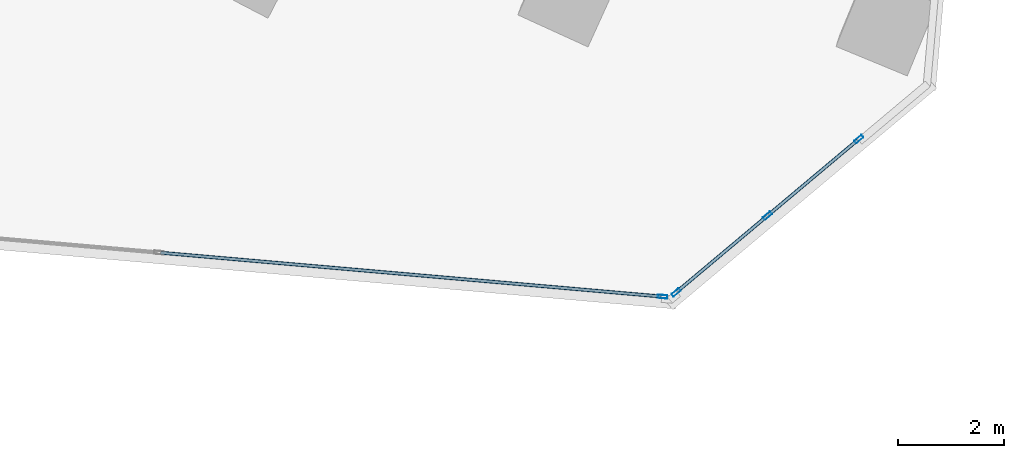
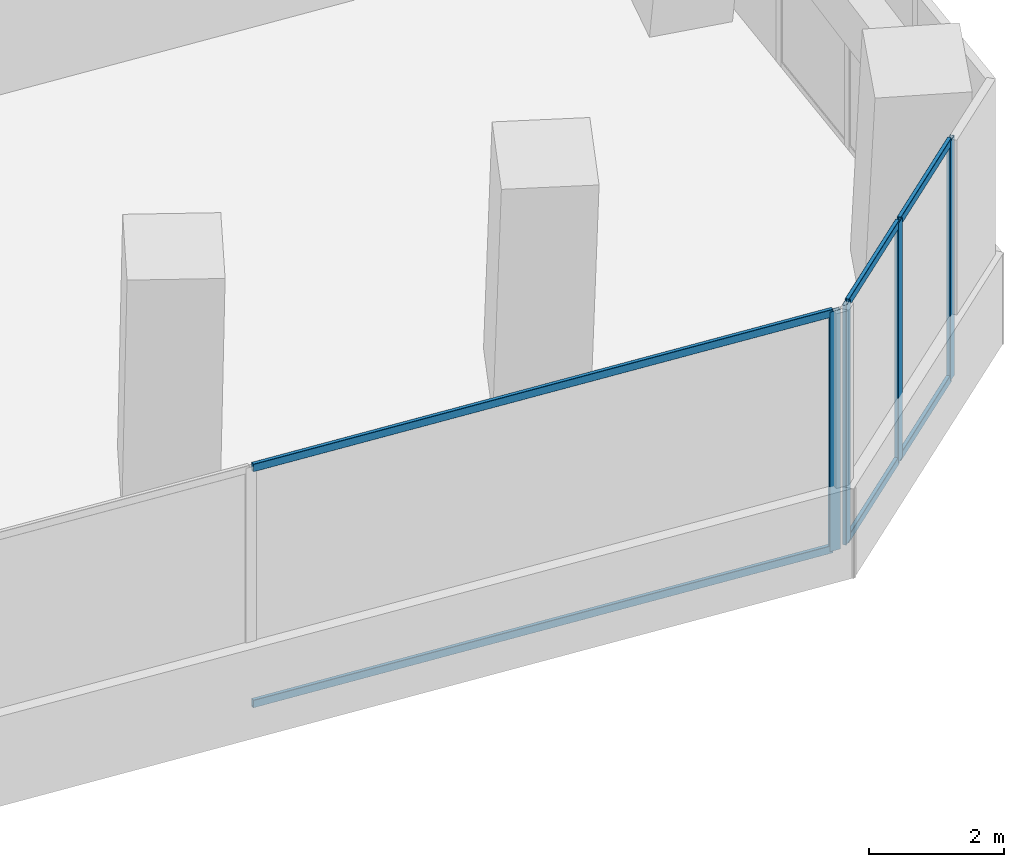
# One storey, part 9 of 24: 10 members, 2 elements without a shape of their own.
"""IFC4 building model written with IfcOpenShell, lengths in metres."""

from ifc_helpers import new_model, si_unit, direction, frame, origin, origin_2d, place, context, subcontext, project, spatial, hollow_rectangle, extrude, source, transform, mapped, material, material_profile, profile_set, type_object, element, aggregate, save


model = new_model("IFC4")

# Units and contexts
model_context = context("Model", 3, precision=1e-05, world=origin(), true_north=direction((0.0, 1.0)))
body_context = subcontext(model_context, "Body", "Model", "MODEL_VIEW")
ifc_project = project(units=[si_unit("LENGTHUNIT", "METRE"), si_unit("AREAUNIT", "SQUARE_METRE"), si_unit("VOLUMEUNIT", "CUBIC_METRE"), si_unit("PLANEANGLEUNIT", "RADIAN"), si_unit("MASSUNIT", "GRAM", prefix="KILO")], contexts=[model_context])

# Site, building, storey
site_placement = place(None, origin())
site = spatial("IfcSite", under=ifc_project, at=site_placement, CompositionType="ELEMENT")
building_placement = place(site_placement, origin())
building = spatial("IfcBuilding", under=site, at=building_placement, Name="Torre Montelarca", CompositionType="ELEMENT")
storey_placement = place(building_placement, frame((0.0, 0.0, 52.0)))
storey = spatial("IfcBuildingStorey", under=building, at=storey_placement, Name="L11", CompositionType="ELEMENT", Elevation=52.0)

# Curtain wall, member
ifc_material_1 = material(Name="Insulated low-E laminated glass", Category="glass")
curtain_wall_type = type_object("IfcCurtainWallType", Name="CW-SYS-Z1", PredefinedType="USERDEFINED", material=ifc_material_1)
curtain_wall_1_placement = place(storey_placement, origin())
curtain_wall_1 = element("IfcCurtainWall", 1, at=curtain_wall_1_placement, inside=storey, type_object=curtain_wall_type, Name="L11 Curtain Wall Run CW-T3-L11-E04-B1", ObjectType="UNITISED GLAZING", PredefinedType="USERDEFINED")
ifc_material_2 = material(Name="Anodised aluminium AA 6063-T6", Category="aluminium")
ifc_material_profile_1 = material_profile(ifc_material_2, hollow_rectangle(XDim=0.06494140625, YDim=0.179931640625, WallThickness=0.00390625, InnerFilletRadius=0.00390625, OuterFilletRadius=0.008056640625, at=origin_2d()), Name="ALU65X180X4", Category="aluminium")
ifc_profile_set_1 = profile_set([ifc_material_profile_1], Name="Anodised aluminium AA 6063-T6")
member_type_1 = type_object("IfcMemberType", Name="CWM-ALU180", PredefinedType="MULLION", material=ifc_profile_set_1)
shared_shape_1 = source(origin(), body_context, "Body", "SweptSolid", [
    extrude(hollow_rectangle(XDim=0.06494140625, YDim=0.179931640625, WallThickness=0.00390625, InnerFilletRadius=0.00390625, OuterFilletRadius=0.008056640625, at=origin_2d()), origin(), (0.0, 0.0, 1.0), 4.320068359375),
])
member_1_placement = place(storey_placement, frame((54.878173828125, 15.357421875, 0.0), z_axis=(0.0, 0.0, 1.0), x_axis=(0.087161882244, 0.996194160936, 0.0)))
member_1 = element("IfcMember", 2, at=member_1_placement, type_object=member_type_1, Name="CW mullion 3", PredefinedType="MULLION", context=body_context, shape_type="MappedRepresentation", body=[
    mapped(shared_shape_1, transform((0.0, 0.0, 0.0), scale=1.0)),
])

# Curtain wall, members
curtain_wall_2_placement = place(storey_placement, origin())
curtain_wall_2 = element("IfcCurtainWall", 3, at=curtain_wall_2_placement, inside=storey, type_object=curtain_wall_type, Name="L11 Curtain Wall Run CW-T3-L11-E05-B1", ObjectType="UNITISED GLAZING", PredefinedType="USERDEFINED")
member_2_placement = place(storey_placement, frame((55.1328125, 15.43798828125, 0.0), z_axis=(0.0, 0.0, 1.0), x_axis=(-0.642794396887, 0.76603874793, 0.0)))
member_2 = element("IfcMember", 4, at=member_2_placement, type_object=member_type_1, Name="CW mullion 1", PredefinedType="MULLION", context=body_context, shape_type="MappedRepresentation", body=[
    mapped(shared_shape_1, transform((0.0, 0.0, 0.0), scale=1.0)),
])
member_3_placement = place(storey_placement, frame((56.85205078125, 16.880615234375, 0.0), z_axis=(0.0, 0.0, 1.0), x_axis=(-0.642794396887, 0.76603874793, 0.0)))
member_3 = element("IfcMember", 5, at=member_3_placement, type_object=member_type_1, Name="CW mullion 2", PredefinedType="MULLION", context=body_context, shape_type="MappedRepresentation", body=[
    mapped(shared_shape_1, transform((0.0, 0.0, 0.0), scale=1.0)),
])
member_4_placement = place(storey_placement, frame((58.5712890625, 18.322998046875, 0.0), z_axis=(0.0, 0.0, 1.0), x_axis=(-0.642794396887, 0.76603874793, 0.0)))
member_4 = element("IfcMember", 6, at=member_4_placement, type_object=member_type_1, Name="CW mullion 3", PredefinedType="MULLION", context=body_context, shape_type="MappedRepresentation", body=[
    mapped(shared_shape_1, transform((0.0, 0.0, 0.0), scale=1.0)),
])

# Member
ifc_material_profile_2 = material_profile(ifc_material_2, hollow_rectangle(XDim=0.06494140625, YDim=0.139892578125, WallThickness=0.00390625, InnerFilletRadius=0.00390625, OuterFilletRadius=0.008056640625, at=origin_2d()), Name="ALU65X140X4", Category="aluminium")
ifc_profile_set_2 = profile_set([ifc_material_profile_2], Name="Anodised aluminium AA 6063-T6")
member_type_2 = type_object("IfcMemberType", Name="CWT-ALU140", PredefinedType="USERDEFINED", material=ifc_profile_set_2)
shared_shape_2 = source(origin(), body_context, "Body", "SweptSolid", [
    extrude(hollow_rectangle(XDim=0.06494140625, YDim=0.139892578125, WallThickness=0.00390625, InnerFilletRadius=0.00390625, OuterFilletRadius=0.008056640625, at=origin_2d()), origin(), (0.0, 0.0, 1.0), 9.448486328125),
])
member_5_placement = place(storey_placement, frame((45.43310546875, 16.183837890625, 0.032470703125), z_axis=(0.996194783193, -0.087154770029, 0.0), x_axis=(0.087154770029, 0.996194783193, 0.0)))
member_5 = element("IfcMember", 7, at=member_5_placement, type_object=member_type_2, Name="CW transom 2.1", ObjectType="TRANSOM", PredefinedType="USERDEFINED", context=body_context, shape_type="MappedRepresentation", body=[
    mapped(shared_shape_2, transform((0.0, 0.0, 0.0), scale=1.0)),
])

member_6_placement = place(storey_placement, frame((45.43310546875, 16.183837890625, 4.28759765625), z_axis=(0.996194783193, -0.087154770029, 0.0), x_axis=(0.087154770029, 0.996194783193, 0.0)))
member_6 = element("IfcMember", 8, at=member_6_placement, type_object=member_type_2, Name="CW transom 2.2", ObjectType="TRANSOM", PredefinedType="USERDEFINED", context=body_context, shape_type="MappedRepresentation", body=[
    mapped(shared_shape_2, transform((0.0, 0.0, 0.0), scale=1.0)),
])

aggregate(curtain_wall_1, [member_1, member_5, member_6])

shared_shape_3 = source(origin(), body_context, "Body", "SweptSolid", [
    extrude(hollow_rectangle(XDim=0.06494140625, YDim=0.139892578125, WallThickness=0.00390625, InnerFilletRadius=0.00390625, OuterFilletRadius=0.008056640625, at=origin_2d()), origin(), (0.0, 0.0, 1.0), 2.179443359375),
])
member_7_placement = place(storey_placement, frame((55.15771484375, 15.458740234375, 0.032470703125), z_axis=(0.766031384934, 0.642803171505, 0.0), x_axis=(-0.642803171505, 0.766031384934, 0.0)))
member_7 = element("IfcMember", 9, at=member_7_placement, type_object=member_type_2, Name="CW transom 1.1", ObjectType="TRANSOM", PredefinedType="USERDEFINED", context=body_context, shape_type="MappedRepresentation", body=[
    mapped(shared_shape_3, transform((0.0, 0.0, 0.0), scale=1.0)),
])

member_8_placement = place(storey_placement, frame((55.15771484375, 15.458740234375, 4.28759765625), z_axis=(0.766031384934, 0.642803171505, 0.0), x_axis=(-0.642803171505, 0.766031384934, 0.0)))
member_8 = element("IfcMember", 10, at=member_8_placement, type_object=member_type_2, Name="CW transom 1.2", ObjectType="TRANSOM", PredefinedType="USERDEFINED", context=body_context, shape_type="MappedRepresentation", body=[
    mapped(shared_shape_3, transform((0.0, 0.0, 0.0), scale=1.0)),
])

member_9_placement = place(storey_placement, frame((56.876953125, 16.9013671875, 0.032470703125), z_axis=(0.766031384934, 0.642803171505, 0.0), x_axis=(-0.642803171505, 0.766031384934, 0.0)))
member_9 = element("IfcMember", 11, at=member_9_placement, type_object=member_type_2, Name="CW transom 2.1", ObjectType="TRANSOM", PredefinedType="USERDEFINED", context=body_context, shape_type="MappedRepresentation", body=[
    mapped(shared_shape_3, transform((0.0, 0.0, 0.0), scale=1.0)),
])

member_10_placement = place(storey_placement, frame((56.876953125, 16.9013671875, 4.28759765625), z_axis=(0.766031384934, 0.642803171505, 0.0), x_axis=(-0.642803171505, 0.766031384934, 0.0)))
member_10 = element("IfcMember", 12, at=member_10_placement, type_object=member_type_2, Name="CW transom 2.2", ObjectType="TRANSOM", PredefinedType="USERDEFINED", context=body_context, shape_type="MappedRepresentation", body=[
    mapped(shared_shape_3, transform((0.0, 0.0, 0.0), scale=1.0)),
])

aggregate(curtain_wall_2, [member_2, member_3, member_4, member_7, member_8, member_9, member_10])

save(model, "model.ifc")
